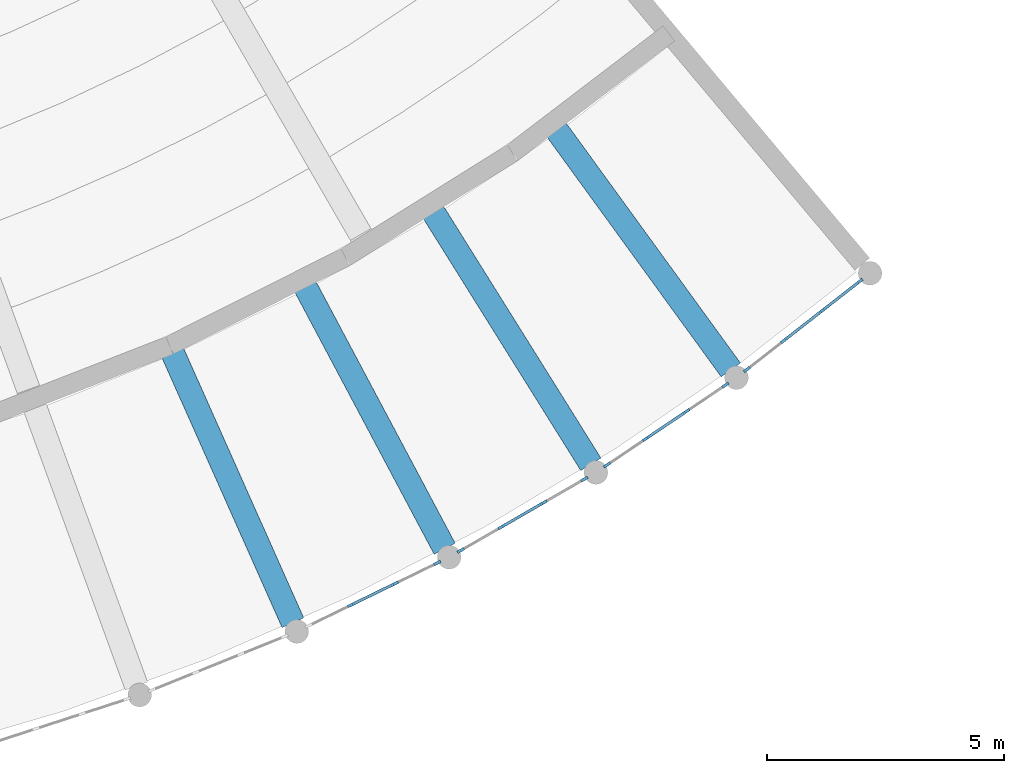
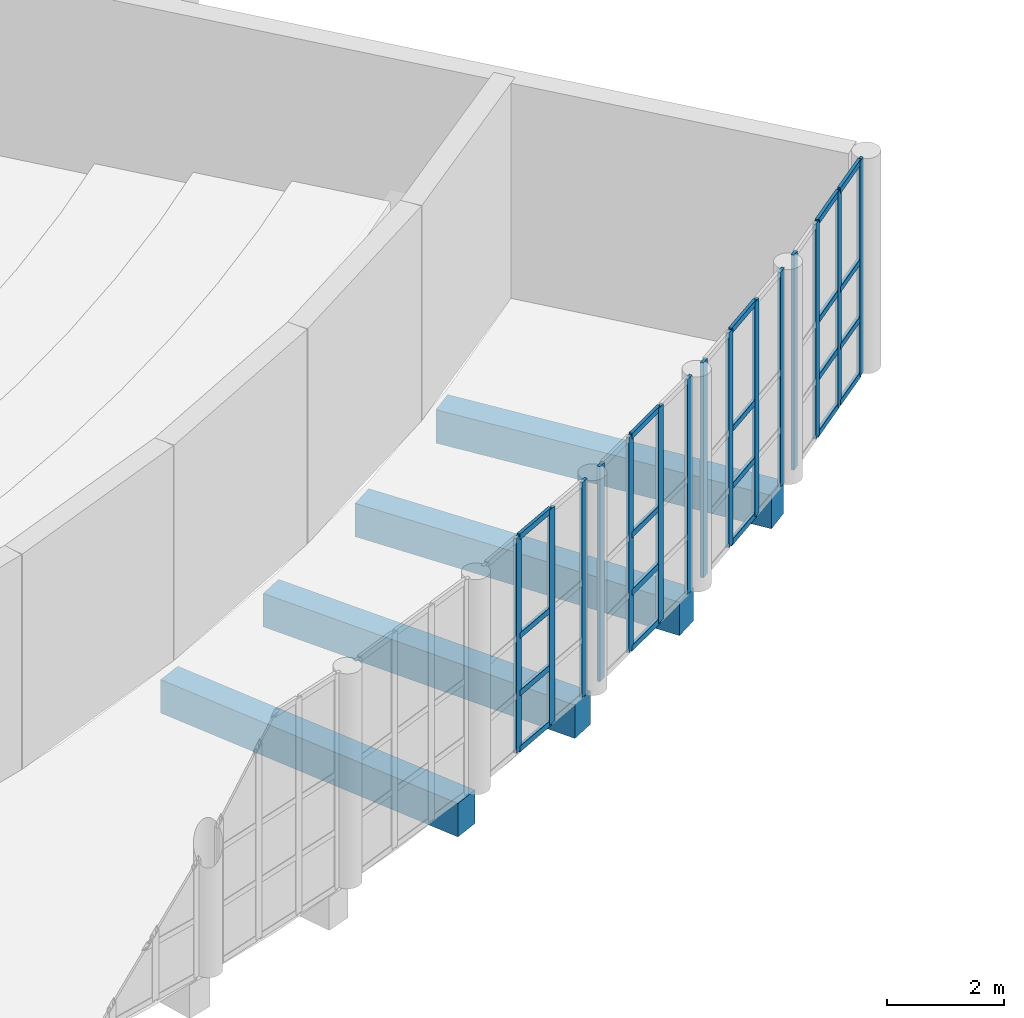
# One storey, part 45 of 162: 35 members, 4 beams, 4 elements without a shape of their own.
"""IFC4 building model written with IfcOpenShell, lengths in metres."""

import ifcopenshell
import ifcopenshell.guid

model = None  # the IFC model being written
_history = None  # IfcOwnerHistory: only IFC2X3 demands one
_inside = {}  # id of a spatial element -> (the spatial element, [elements in it])
_under = {}  # id of a project, library or spatial element -> (it, [spatial elements below it])
_declared = {}  # id of a project -> (the project, [libraries it declares])
_typed = {}  # id of a type object -> (the type object, [elements of that type])
_made_of = {}  # id of a material, layer set ... -> (it, [elements and type objects made of it])


def new_model(schema):
    """Start an empty IFC model of exactly this schema.

    Asked for "IFC4X3", IfcOpenShell would pick the latest addendum, in which some entities
    have other attributes; the version numbers below select the first issue.
    IFC2X3 requires an IfcOwnerHistory on every rooted entity: one is made here for all.
    """
    global model, _history
    if schema == "IFC4X3":
        model = ifcopenshell.file(schema_version=(4, 3, 0, 0))
    else:
        model = ifcopenshell.file(schema=schema)
    _inside.clear()
    _under.clear()
    _declared.clear()
    _typed.clear()
    _made_of.clear()
    _history = None
    if model.schema == "IFC2X3":
        org = make("IfcOrganization", Name="unknown")
        user = make(
            "IfcPersonAndOrganization",
            ThePerson=make("IfcPerson", FamilyName="unknown"),
            TheOrganization=org,
        )
        app = make(
            "IfcApplication",
            ApplicationDeveloper=org,
            Version="unknown",
            ApplicationFullName="unknown",
            ApplicationIdentifier="unknown",
        )
        _history = make(
            "IfcOwnerHistory",
            OwningUser=user,
            OwningApplication=app,
            ChangeAction="ADDED",
            CreationDate=0,
        )
    return model


def make(cls, **values):
    """One entity of the class cls with the attributes given. An attribute that is None is left unset."""
    return model.create_entity(
        cls, **{name: value for name, value in values.items() if value is not None}
    )


def rooted(cls, **values):
    """An entity with a GlobalId (a new one), such as an element, a storey or a relation."""
    return make(cls, GlobalId=ifcopenshell.guid.new(), OwnerHistory=_history, **values)


def si_unit(unit_type, name, prefix=None):
    """IfcSIUnit, for example si_unit("LENGTHUNIT", "METRE", prefix="MILLI")."""
    return make("IfcSIUnit", UnitType=unit_type, Prefix=prefix, Name=name)


def assignment(units):
    """IfcUnitAssignment: the units of a project."""
    return None if units is None else make("IfcUnitAssignment", Units=units)


def point(xyz):
    """IfcCartesianPoint."""
    return None if xyz is None else make("IfcCartesianPoint", Coordinates=xyz)


def direction(xyz):
    """IfcDirection."""
    return None if xyz is None else make("IfcDirection", DirectionRatios=xyz)


def frame(location, z_axis=None, x_axis=None):
    """IfcAxis2Placement3D, a coordinate frame: its origin and axes. An axis left out is left unset."""
    return make(
        "IfcAxis2Placement3D",
        Location=point(location),
        Axis=direction(z_axis),
        RefDirection=direction(x_axis),
    )


def frame_2d(location, x_axis=None):
    """IfcAxis2Placement2D, a coordinate frame in the plane: its origin and x axis."""
    return make(
        "IfcAxis2Placement2D", Location=point(location), RefDirection=direction(x_axis)
    )


def origin():
    """The frame at (0, 0, 0) with its axes left unset."""
    return frame((0.0, 0.0, 0.0))


def origin_2d():
    """The frame at (0, 0) in the plane with its x axis left unset."""
    return frame_2d((0.0, 0.0))


def place(relative_to, where):
    """IfcLocalPlacement: puts the frame where relative to a parent placement (None: the world)."""
    return make(
        "IfcLocalPlacement", PlacementRelTo=relative_to, RelativePlacement=where
    )


def context(
    kind, dimensions, precision=None, world=None, true_north=None, identifier=None
):
    """IfcGeometricRepresentationContext, for example the 3D "Model" context."""
    return make(
        "IfcGeometricRepresentationContext",
        ContextIdentifier=identifier,
        ContextType=kind,
        CoordinateSpaceDimension=dimensions,
        Precision=precision,
        WorldCoordinateSystem=world,
        TrueNorth=true_north,
    )


def subcontext(parent, identifier, kind, view, scale=None):
    """IfcGeometricRepresentationSubContext, for example "Body" below "Model"."""
    return make(
        "IfcGeometricRepresentationSubContext",
        ContextIdentifier=identifier,
        ContextType=kind,
        ParentContext=parent,
        TargetScale=scale,
        TargetView=view,
    )


def project(units=None, contexts=None):
    """IfcProject with its units and contexts."""
    return rooted(
        "IfcProject",
        Name="project",
        RepresentationContexts=contexts,
        UnitsInContext=assignment(units),
    )


def spatial(cls, under=None, at=None, **own):
    """A site, building, storey or space (cls), placed at a placement, below another one or the project."""
    s = rooted(cls, ObjectPlacement=at, **own)
    if under is not None:
        _under.setdefault(under.id(), (under, []))[1].append(s)
    return s


def profile(cls, at=None, kind="AREA", **sizes):
    """A parametric profile (cls). Its sizes go by their IFC names, for example OverallWidth=200.0."""
    return make(cls, ProfileType=kind, Position=at, **sizes)


def rectangle(**sizes):
    """IfcRectangleProfileDef."""
    return profile("IfcRectangleProfileDef", **sizes)


def extrude(swept, where, along, depth):
    """IfcExtrudedAreaSolid: the profile swept, set in the frame where, extruded along a direction by depth."""
    return make(
        "IfcExtrudedAreaSolid",
        SweptArea=swept,
        Position=where,
        ExtrudedDirection=direction(along),
        Depth=depth,
    )


def shape(context_of_items, identifier, shape_type, items):
    """IfcShapeRepresentation: the items that make up one representation, for example the "Body"."""
    return make(
        "IfcShapeRepresentation",
        ContextOfItems=context_of_items,
        RepresentationIdentifier=identifier,
        RepresentationType=shape_type,
        Items=items,
    )


def material(Name=None, Category=None):
    """IfcMaterial."""
    return make("IfcMaterial", Name=Name, Category=Category)


def layer(
    of_material, thickness, ventilated=None, Name=None, Category=None, Priority=None
):
    """IfcMaterialLayer: one layer of a wall or slab, of a material (None: an air gap)."""
    return make(
        "IfcMaterialLayer",
        Material=of_material,
        LayerThickness=thickness,
        IsVentilated=ventilated,
        Name=Name,
        Category=Category,
        Priority=Priority,
    )


def layer_set(layers, Name=None):
    """IfcMaterialLayerSet."""
    return make("IfcMaterialLayerSet", MaterialLayers=layers, LayerSetName=Name)


def material_profile(
    of_material, cross_section, Name=None, Category=None, Priority=None
):
    """IfcMaterialProfile: a cross section and its material."""
    return make(
        "IfcMaterialProfile",
        Name=Name,
        Material=of_material,
        Profile=cross_section,
        Priority=Priority,
        Category=Category,
    )


def profile_set(profiles, Name=None, composite=None):
    """IfcMaterialProfileSet."""
    return make(
        "IfcMaterialProfileSet",
        Name=Name,
        MaterialProfiles=profiles,
        CompositeProfile=composite,
    )


def made_of(thing, what):
    """Note that an element or type object is made of a material, layer set ...; save() writes the relation."""
    if what is not None:
        _made_of.setdefault(what.id(), (what, []))[1].append(thing)
    return thing


def type_object(cls, material=None, **own):
    """A type object (cls), such as IfcWallType, which elements share."""
    return made_of(rooted(cls, **own), material)


def element(
    cls,
    number,
    at=None,
    inside=None,
    cuts=None,
    type_object=None,
    material=None,
    context=None,
    identifier="Body",
    shape_type=None,
    held_by="IfcProductDefinitionShape",
    body=None,
    shapes=None,
    **own,
):
    """One element of the class cls, such as IfcWall. Its Tag is "e" and its number.

    at: its placement. inside: the storey or other place that contains it. cuts: it is an
    opening in that element (IfcRelVoidsElement). A single representation is given by context,
    identifier, shape_type and body (its items); several are given by shapes. held_by: the class
    of the entity that holds the representations. save() writes the other relations.
    """
    e = rooted(cls, Tag="e%d" % number, ObjectPlacement=at, **own)
    if body is not None:
        shapes = [shape(context, identifier, shape_type, body)]
    if shapes is not None:
        e.Representation = make(held_by, Representations=shapes)
    if inside is not None:
        _inside.setdefault(inside.id(), (inside, []))[1].append(e)
    if cuts is not None:
        rooted(
            "IfcRelVoidsElement", RelatingBuildingElement=cuts, RelatedOpeningElement=e
        )
    if type_object is not None:
        _typed.setdefault(type_object.id(), (type_object, []))[1].append(e)
    return made_of(e, material)


def aggregate(whole, parts):
    """IfcRelAggregates: a whole, such as a stair, and the parts it consists of."""
    return rooted("IfcRelAggregates", RelatingObject=whole, RelatedObjects=parts)


def save(model, path):
    """Write the relations noted so far, then the file.

    IfcRelAggregates (storeys below a building ...), IfcRelContainedInSpatialStructure (elements
    in a storey), IfcRelDefinesByType, IfcRelAssociatesMaterial and IfcRelDeclares: one each for
    every whole, place, type object, material and project.
    """
    for whole, parts in _under.values():
        aggregate(whole, parts)
    for where, things in _inside.values():
        rooted(
            "IfcRelContainedInSpatialStructure",
            RelatedElements=things,
            RelatingStructure=where,
        )
    for kind, things in _typed.values():
        rooted("IfcRelDefinesByType", RelatedObjects=things, RelatingType=kind)
    for what, things in _made_of.values():
        rooted("IfcRelAssociatesMaterial", RelatedObjects=things, RelatingMaterial=what)
    for by, libraries in _declared.values():
        rooted("IfcRelDeclares", RelatingContext=by, RelatedDefinitions=libraries)
    model.write(path)


model = new_model("IFC4")

# Units and contexts
model_context = context("Model", 3, precision=1e-05, world=origin(), true_north=direction((0.0, 1.0)))
body_context = subcontext(model_context, "Body", "Model", "MODEL_VIEW")
ifc_project = project(units=[si_unit("LENGTHUNIT", "METRE"), si_unit("AREAUNIT", "SQUARE_METRE"), si_unit("VOLUMEUNIT", "CUBIC_METRE"), si_unit("PLANEANGLEUNIT", "RADIAN"), si_unit("MASSUNIT", "GRAM", prefix="KILO")], contexts=[model_context])

# Site, building, storey
site_placement = place(None, origin())
site = spatial("IfcSite", under=ifc_project, at=site_placement, CompositionType="ELEMENT")
building_placement = place(site_placement, origin())
building = spatial("IfcBuilding", under=site, at=building_placement, Name="Rain Tree Exposition and Congress Centre", CompositionType="ELEMENT")
storey_placement = place(building_placement, frame((0.0, 0.0, 6.0)))
storey = spatial("IfcBuildingStorey", under=building, at=storey_placement, Name="L01", CompositionType="ELEMENT", Elevation=6.0)

# Curtain wall, members
ifc_material_1 = material(Name="Aluminium", Category="aluminium")
ifc_layer = layer(ifc_material_1, 0.10009765625)
ifc_layer_set = layer_set([ifc_layer], Name="Aluminium")
curtain_wall_type = type_object("IfcCurtainWallType", Name="Curtain wall congress", PredefinedType="NOTDEFINED", material=ifc_layer_set)
curtain_wall_1_placement = place(storey_placement, origin())
curtain_wall_1 = element("IfcCurtainWall", 1, at=curtain_wall_1_placement, inside=storey, type_object=curtain_wall_type, Name="Curtain wall L01 bay 17", PredefinedType="NOTDEFINED")
ifc_material_2 = material(Name="Aluminium", Category="aluminium")
ifc_material_profile_1 = material_profile(ifc_material_2, rectangle(XDim=0.06005859375, YDim=0.159912109375, at=origin_2d()), Name="AL 60x160")
ifc_profile_set_1 = profile_set([ifc_material_profile_1], Name="Aluminium")
member_type_1 = type_object("IfcMemberType", Name="Curtain wall mullion 60x160 congress", PredefinedType="MULLION", material=ifc_profile_set_1)
member_1_placement = place(storey_placement, frame((223.570556640625, 20.9853515625, 0.0), z_axis=(0.0, 0.0, 1.0), x_axis=(-0.438368505628, 0.898795334475, 0.0)))
member_1 = element("IfcMember", 2, at=member_1_placement, type_object=member_type_1, Name="CWG217 mullion 2", PredefinedType="MULLION", context=body_context, shape_type="SweptSolid", body=[
    extrude(rectangle(XDim=0.06005859375, YDim=0.159912109375, at=origin_2d()), origin(), (0.0, 0.0, 1.0), 4.5),
])
member_2_placement = place(storey_placement, frame((224.491455078125, 21.434326171875, 0.0), z_axis=(0.0, 0.0, 1.0), x_axis=(-0.438368505628, 0.898795334475, 0.0)))
member_2 = element("IfcMember", 3, at=member_2_placement, type_object=member_type_1, Name="CWG217 mullion 3", PredefinedType="MULLION", context=body_context, shape_type="SweptSolid", body=[
    extrude(rectangle(XDim=0.06005859375, YDim=0.159912109375, at=origin_2d()), origin(), (0.0, 0.0, 1.0), 4.5),
])
member_3_placement = place(storey_placement, frame((225.38525390625, 21.870361328125, 0.0), z_axis=(0.0, 0.0, 1.0), x_axis=(-0.438368505628, 0.898795334475, 0.0)))
member_3 = element("IfcMember", 4, at=member_3_placement, type_object=member_type_1, Name="CWG217 mullion 4", PredefinedType="MULLION", context=body_context, shape_type="SweptSolid", body=[
    extrude(rectangle(XDim=0.06005859375, YDim=0.159912109375, at=origin_2d()), origin(), (0.0, 0.0, 1.0), 4.5),
])

curtain_wall_2_placement = place(storey_placement, origin())
curtain_wall_2 = element("IfcCurtainWall", 5, at=curtain_wall_2_placement, inside=storey, type_object=curtain_wall_type, Name="Curtain wall L01 bay 18", PredefinedType="NOTDEFINED")
member_4_placement = place(storey_placement, frame((225.87939453125, 22.133056640625, 0.0), z_axis=(0.0, 0.0, 1.0), x_axis=(-0.499988121275, 0.866032261861, 0.0)))
member_4 = element("IfcMember", 6, at=member_4_placement, type_object=member_type_1, Name="CWG218 mullion 1", PredefinedType="MULLION", context=body_context, shape_type="SweptSolid", body=[
    extrude(rectangle(XDim=0.06005859375, YDim=0.159912109375, at=origin_2d()), origin(), (0.0, 0.0, 1.0), 4.5),
])
member_5_placement = place(storey_placement, frame((226.74072265625, 22.63037109375, 0.0), z_axis=(0.0, 0.0, 1.0), x_axis=(-0.499988121275, 0.866032261861, 0.0)))
member_5 = element("IfcMember", 7, at=member_5_placement, type_object=member_type_1, Name="CWG218 mullion 2", PredefinedType="MULLION", context=body_context, shape_type="SweptSolid", body=[
    extrude(rectangle(XDim=0.06005859375, YDim=0.159912109375, at=origin_2d()), origin(), (0.0, 0.0, 1.0), 4.5),
])
member_6_placement = place(storey_placement, frame((227.628173828125, 23.142578125, 0.0), z_axis=(0.0, 0.0, 1.0), x_axis=(-0.499988121275, 0.866032261861, 0.0)))
member_6 = element("IfcMember", 8, at=member_6_placement, type_object=member_type_1, Name="CWG218 mullion 3", PredefinedType="MULLION", context=body_context, shape_type="SweptSolid", body=[
    extrude(rectangle(XDim=0.06005859375, YDim=0.159912109375, at=origin_2d()), origin(), (0.0, 0.0, 1.0), 4.5),
])
member_7_placement = place(storey_placement, frame((228.489501953125, 23.639892578125, 0.0), z_axis=(0.0, 0.0, 1.0), x_axis=(-0.499988121275, 0.866032261861, 0.0)))
member_7 = element("IfcMember", 9, at=member_7_placement, type_object=member_type_1, Name="CWG218 mullion 4", PredefinedType="MULLION", context=body_context, shape_type="SweptSolid", body=[
    extrude(rectangle(XDim=0.06005859375, YDim=0.159912109375, at=origin_2d()), origin(), (0.0, 0.0, 1.0), 4.5),
])

curtain_wall_3_placement = place(storey_placement, origin())
curtain_wall_3 = element("IfcCurtainWall", 10, at=curtain_wall_3_placement, inside=storey, type_object=curtain_wall_type, Name="Curtain wall L01 bay 19", PredefinedType="NOTDEFINED")
member_8_placement = place(storey_placement, frame((228.9638671875, 23.9365234375, 0.0), z_axis=(0.0, 0.0, 1.0), x_axis=(-0.559196793659, 0.829034948577, 0.0)))
member_8 = element("IfcMember", 11, at=member_8_placement, type_object=member_type_1, Name="CWG219 mullion 1", PredefinedType="MULLION", context=body_context, shape_type="SweptSolid", body=[
    extrude(rectangle(XDim=0.06005859375, YDim=0.159912109375, at=origin_2d()), origin(), (0.0, 0.0, 1.0), 4.5),
])
member_9_placement = place(storey_placement, frame((229.78857421875, 24.49267578125, 0.0), z_axis=(0.0, 0.0, 1.0), x_axis=(-0.559196793659, 0.829034948577, 0.0)))
member_9 = element("IfcMember", 12, at=member_9_placement, type_object=member_type_1, Name="CWG219 mullion 2", PredefinedType="MULLION", context=body_context, shape_type="SweptSolid", body=[
    extrude(rectangle(XDim=0.06005859375, YDim=0.159912109375, at=origin_2d()), origin(), (0.0, 0.0, 1.0), 4.5),
])
member_10_placement = place(storey_placement, frame((230.637939453125, 25.065673828125, 0.0), z_axis=(0.0, 0.0, 1.0), x_axis=(-0.559196793659, 0.829034948577, 0.0)))
member_10 = element("IfcMember", 13, at=member_10_placement, type_object=member_type_1, Name="CWG219 mullion 3", PredefinedType="MULLION", context=body_context, shape_type="SweptSolid", body=[
    extrude(rectangle(XDim=0.06005859375, YDim=0.159912109375, at=origin_2d()), origin(), (0.0, 0.0, 1.0), 4.5),
])
member_11_placement = place(storey_placement, frame((231.46240234375, 25.621826171875, 0.0), z_axis=(0.0, 0.0, 1.0), x_axis=(-0.559196793659, 0.829034948577, 0.0)))
member_11 = element("IfcMember", 14, at=member_11_placement, type_object=member_type_1, Name="CWG219 mullion 4", PredefinedType="MULLION", context=body_context, shape_type="SweptSolid", body=[
    extrude(rectangle(XDim=0.06005859375, YDim=0.159912109375, at=origin_2d()), origin(), (0.0, 0.0, 1.0), 4.5),
])

curtain_wall_4_placement = place(storey_placement, origin())
curtain_wall_4 = element("IfcCurtainWall", 15, at=curtain_wall_4_placement, inside=storey, type_object=curtain_wall_type, Name="Curtain wall L01 bay 20", PredefinedType="NOTDEFINED")
member_12_placement = place(storey_placement, frame((231.915283203125, 25.95068359375, 0.0), z_axis=(0.0, 0.0, 1.0), x_axis=(-0.615671189348, 0.788003164084, 0.0)))
member_12 = element("IfcMember", 16, at=member_12_placement, type_object=member_type_1, Name="CWG220 mullion 1", PredefinedType="MULLION", context=body_context, shape_type="SweptSolid", body=[
    extrude(rectangle(XDim=0.06005859375, YDim=0.159912109375, at=origin_2d()), origin(), (0.0, 0.0, 1.0), 4.5),
])
member_13_placement = place(storey_placement, frame((232.698974609375, 26.56298828125, 0.0), z_axis=(0.0, 0.0, 1.0), x_axis=(-0.615671189348, 0.788003164084, 0.0)))
member_13 = element("IfcMember", 17, at=member_13_placement, type_object=member_type_1, Name="CWG220 mullion 2", PredefinedType="MULLION", context=body_context, shape_type="SweptSolid", body=[
    extrude(rectangle(XDim=0.06005859375, YDim=0.159912109375, at=origin_2d()), origin(), (0.0, 0.0, 1.0), 4.5),
])
member_14_placement = place(storey_placement, frame((233.50634765625, 27.19384765625, 0.0), z_axis=(0.0, 0.0, 1.0), x_axis=(-0.615671189348, 0.788003164084, 0.0)))
member_14 = element("IfcMember", 18, at=member_14_placement, type_object=member_type_1, Name="CWG220 mullion 3", PredefinedType="MULLION", context=body_context, shape_type="SweptSolid", body=[
    extrude(rectangle(XDim=0.06005859375, YDim=0.159912109375, at=origin_2d()), origin(), (0.0, 0.0, 1.0), 4.5),
])
member_15_placement = place(storey_placement, frame((234.2900390625, 27.80615234375, 0.0), z_axis=(0.0, 0.0, 1.0), x_axis=(-0.615671189348, 0.788003164084, 0.0)))
member_15 = element("IfcMember", 19, at=member_15_placement, type_object=member_type_1, Name="CWG220 mullion 4", PredefinedType="MULLION", context=body_context, shape_type="SweptSolid", body=[
    extrude(rectangle(XDim=0.06005859375, YDim=0.159912109375, at=origin_2d()), origin(), (0.0, 0.0, 1.0), 4.5),
])

# Member
ifc_material_3 = material(Name="Aluminium", Category="aluminium")
ifc_material_profile_2 = material_profile(ifc_material_3, rectangle(XDim=0.06005859375, YDim=0.1201171875, at=origin_2d()), Name="AL 60x120")
ifc_profile_set_2 = profile_set([ifc_material_profile_2], Name="Aluminium")
member_type_2 = type_object("IfcMemberType", Name="Curtain wall transom 60x120 congress", PredefinedType="USERDEFINED", material=ifc_profile_set_2)
member_16_placement = place(storey_placement, frame((223.597412109375, 20.998291015625, 0.030029296875), z_axis=(0.898787905279, 0.438383737523, 0.0), x_axis=(-0.438383737523, 0.898787905279, 0.0)))
member_16 = element("IfcMember", 20, at=member_16_placement, type_object=member_type_2, Name="CWG217 transom 2.1", ObjectType="TRANSOM", PredefinedType="USERDEFINED", context=body_context, shape_type="SweptSolid", body=[
    extrude(rectangle(XDim=0.06005859375, YDim=0.1201171875, at=origin_2d()), origin(), (0.0, 0.0, 1.0), 0.964599609375),
])

member_17_placement = place(storey_placement, frame((223.597412109375, 20.998291015625, 1.199951171875), z_axis=(0.898787905279, 0.438383737523, 0.0), x_axis=(-0.438383737523, 0.898787905279, 0.0)))
member_17 = element("IfcMember", 21, at=member_17_placement, type_object=member_type_2, Name="CWG217 transom 2.2", ObjectType="TRANSOM", PredefinedType="USERDEFINED", context=body_context, shape_type="SweptSolid", body=[
    extrude(rectangle(XDim=0.06005859375, YDim=0.1201171875, at=origin_2d()), origin(), (0.0, 0.0, 1.0), 0.964599609375),
])

member_18_placement = place(storey_placement, frame((223.597412109375, 20.998291015625, 2.39990234375), z_axis=(0.898787905279, 0.438383737523, 0.0), x_axis=(-0.438383737523, 0.898787905279, 0.0)))
member_18 = element("IfcMember", 22, at=member_18_placement, type_object=member_type_2, Name="CWG217 transom 2.3", ObjectType="TRANSOM", PredefinedType="USERDEFINED", context=body_context, shape_type="SweptSolid", body=[
    extrude(rectangle(XDim=0.06005859375, YDim=0.1201171875, at=origin_2d()), origin(), (0.0, 0.0, 1.0), 0.964599609375),
])

member_19_placement = place(storey_placement, frame((223.597412109375, 20.998291015625, 4.469970703125), z_axis=(0.898787905279, 0.438383737523, 0.0), x_axis=(-0.438383737523, 0.898787905279, 0.0)))
member_19 = element("IfcMember", 23, at=member_19_placement, type_object=member_type_2, Name="CWG217 transom 2.4", ObjectType="TRANSOM", PredefinedType="USERDEFINED", context=body_context, shape_type="SweptSolid", body=[
    extrude(rectangle(XDim=0.06005859375, YDim=0.1201171875, at=origin_2d()), origin(), (0.0, 0.0, 1.0), 0.964599609375),
])

aggregate(curtain_wall_1, [member_1, member_2, member_3, member_16, member_17, member_18, member_19])

member_20_placement = place(storey_placement, frame((226.766845703125, 22.645263671875, 0.030029296875), z_axis=(0.865928416946, 0.500167948519, 0.0), x_axis=(-0.500167948519, 0.865928416946, 0.0)))
member_20 = element("IfcMember", 24, at=member_20_placement, type_object=member_type_2, Name="CWG218 transom 2.1", ObjectType="TRANSOM", PredefinedType="USERDEFINED", context=body_context, shape_type="SweptSolid", body=[
    extrude(rectangle(XDim=0.06005859375, YDim=0.1201171875, at=origin_2d()), origin(), (0.0, 0.0, 1.0), 0.964599609375),
])

member_21_placement = place(storey_placement, frame((226.766845703125, 22.645263671875, 1.199951171875), z_axis=(0.865928416946, 0.500167948519, 0.0), x_axis=(-0.500167948519, 0.865928416946, 0.0)))
member_21 = element("IfcMember", 25, at=member_21_placement, type_object=member_type_2, Name="CWG218 transom 2.2", ObjectType="TRANSOM", PredefinedType="USERDEFINED", context=body_context, shape_type="SweptSolid", body=[
    extrude(rectangle(XDim=0.06005859375, YDim=0.1201171875, at=origin_2d()), origin(), (0.0, 0.0, 1.0), 0.964599609375),
])

member_22_placement = place(storey_placement, frame((226.766845703125, 22.645263671875, 2.39990234375), z_axis=(0.865928416946, 0.500167948519, 0.0), x_axis=(-0.500167948519, 0.865928416946, 0.0)))
member_22 = element("IfcMember", 26, at=member_22_placement, type_object=member_type_2, Name="CWG218 transom 2.3", ObjectType="TRANSOM", PredefinedType="USERDEFINED", context=body_context, shape_type="SweptSolid", body=[
    extrude(rectangle(XDim=0.06005859375, YDim=0.1201171875, at=origin_2d()), origin(), (0.0, 0.0, 1.0), 0.964599609375),
])

member_23_placement = place(storey_placement, frame((226.766845703125, 22.645263671875, 4.469970703125), z_axis=(0.865928416946, 0.500167948519, 0.0), x_axis=(-0.500167948519, 0.865928416946, 0.0)))
member_23 = element("IfcMember", 27, at=member_23_placement, type_object=member_type_2, Name="CWG218 transom 2.4", ObjectType="TRANSOM", PredefinedType="USERDEFINED", context=body_context, shape_type="SweptSolid", body=[
    extrude(rectangle(XDim=0.06005859375, YDim=0.1201171875, at=origin_2d()), origin(), (0.0, 0.0, 1.0), 0.964599609375),
])

aggregate(curtain_wall_2, [member_4, member_5, member_6, member_7, member_20, member_21, member_22, member_23])

member_24_placement = place(storey_placement, frame((229.8134765625, 24.509521484375, 0.030029296875), z_axis=(0.829039378948, 0.559190225373, 0.0), x_axis=(-0.559190225373, 0.829039378948, 0.0)))
member_24 = element("IfcMember", 28, at=member_24_placement, type_object=member_type_2, Name="CWG219 transom 2.1", ObjectType="TRANSOM", PredefinedType="USERDEFINED", context=body_context, shape_type="SweptSolid", body=[
    extrude(rectangle(XDim=0.06005859375, YDim=0.1201171875, at=origin_2d()), origin(), (0.0, 0.0, 1.0), 0.96435546875),
])

member_25_placement = place(storey_placement, frame((229.8134765625, 24.509521484375, 1.199951171875), z_axis=(0.829039378948, 0.559190225373, 0.0), x_axis=(-0.559190225373, 0.829039378948, 0.0)))
member_25 = element("IfcMember", 29, at=member_25_placement, type_object=member_type_2, Name="CWG219 transom 2.2", ObjectType="TRANSOM", PredefinedType="USERDEFINED", context=body_context, shape_type="SweptSolid", body=[
    extrude(rectangle(XDim=0.06005859375, YDim=0.1201171875, at=origin_2d()), origin(), (0.0, 0.0, 1.0), 0.96435546875),
])

member_26_placement = place(storey_placement, frame((229.8134765625, 24.509521484375, 2.39990234375), z_axis=(0.829039378948, 0.559190225373, 0.0), x_axis=(-0.559190225373, 0.829039378948, 0.0)))
member_26 = element("IfcMember", 30, at=member_26_placement, type_object=member_type_2, Name="CWG219 transom 2.3", ObjectType="TRANSOM", PredefinedType="USERDEFINED", context=body_context, shape_type="SweptSolid", body=[
    extrude(rectangle(XDim=0.06005859375, YDim=0.1201171875, at=origin_2d()), origin(), (0.0, 0.0, 1.0), 0.96435546875),
])

member_27_placement = place(storey_placement, frame((229.8134765625, 24.509521484375, 4.469970703125), z_axis=(0.829039378948, 0.559190225373, 0.0), x_axis=(-0.559190225373, 0.829039378948, 0.0)))
member_27 = element("IfcMember", 31, at=member_27_placement, type_object=member_type_2, Name="CWG219 transom 2.4", ObjectType="TRANSOM", PredefinedType="USERDEFINED", context=body_context, shape_type="SweptSolid", body=[
    extrude(rectangle(XDim=0.06005859375, YDim=0.1201171875, at=origin_2d()), origin(), (0.0, 0.0, 1.0), 0.96435546875),
])

aggregate(curtain_wall_3, [member_8, member_9, member_10, member_11, member_24, member_25, member_26, member_27])

member_28_placement = place(storey_placement, frame((232.72265625, 26.58154296875, 0.030029296875), z_axis=(0.788028211506, 0.61563912958, 0.0), x_axis=(-0.61563912958, 0.788028211506, 0.0)))
member_28 = element("IfcMember", 32, at=member_28_placement, type_object=member_type_2, Name="CWG220 transom 2.1", ObjectType="TRANSOM", PredefinedType="USERDEFINED", context=body_context, shape_type="SweptSolid", body=[
    extrude(rectangle(XDim=0.06005859375, YDim=0.1201171875, at=origin_2d()), origin(), (0.0, 0.0, 1.0), 0.96435546875),
])

member_29_placement = place(storey_placement, frame((232.72265625, 26.58154296875, 1.199951171875), z_axis=(0.788028211506, 0.61563912958, 0.0), x_axis=(-0.61563912958, 0.788028211506, 0.0)))
member_29 = element("IfcMember", 33, at=member_29_placement, type_object=member_type_2, Name="CWG220 transom 2.2", ObjectType="TRANSOM", PredefinedType="USERDEFINED", context=body_context, shape_type="SweptSolid", body=[
    extrude(rectangle(XDim=0.06005859375, YDim=0.1201171875, at=origin_2d()), origin(), (0.0, 0.0, 1.0), 0.96435546875),
])

member_30_placement = place(storey_placement, frame((232.72265625, 26.58154296875, 2.39990234375), z_axis=(0.788028211506, 0.61563912958, 0.0), x_axis=(-0.61563912958, 0.788028211506, 0.0)))
member_30 = element("IfcMember", 34, at=member_30_placement, type_object=member_type_2, Name="CWG220 transom 2.3", ObjectType="TRANSOM", PredefinedType="USERDEFINED", context=body_context, shape_type="SweptSolid", body=[
    extrude(rectangle(XDim=0.06005859375, YDim=0.1201171875, at=origin_2d()), origin(), (0.0, 0.0, 1.0), 0.96435546875),
])

member_31_placement = place(storey_placement, frame((232.72265625, 26.58154296875, 4.469970703125), z_axis=(0.788028211506, 0.61563912958, 0.0), x_axis=(-0.61563912958, 0.788028211506, 0.0)))
member_31 = element("IfcMember", 35, at=member_31_placement, type_object=member_type_2, Name="CWG220 transom 2.4", ObjectType="TRANSOM", PredefinedType="USERDEFINED", context=body_context, shape_type="SweptSolid", body=[
    extrude(rectangle(XDim=0.06005859375, YDim=0.1201171875, at=origin_2d()), origin(), (0.0, 0.0, 1.0), 0.96435546875),
])

member_32_placement = place(storey_placement, frame((233.530029296875, 27.212158203125, 0.030029296875), z_axis=(0.787929306804, 0.615765708268, 0.0), x_axis=(-0.615765708268, 0.787929306804, 0.0)))
member_32 = element("IfcMember", 36, at=member_32_placement, type_object=member_type_2, Name="CWG220 transom 3.1", ObjectType="TRANSOM", PredefinedType="USERDEFINED", context=body_context, shape_type="SweptSolid", body=[
    extrude(rectangle(XDim=0.06005859375, YDim=0.1201171875, at=origin_2d()), origin(), (0.0, 0.0, 1.0), 0.9345703125),
])

member_33_placement = place(storey_placement, frame((233.530029296875, 27.212158203125, 1.199951171875), z_axis=(0.787929306804, 0.615765708268, 0.0), x_axis=(-0.615765708268, 0.787929306804, 0.0)))
member_33 = element("IfcMember", 37, at=member_33_placement, type_object=member_type_2, Name="CWG220 transom 3.2", ObjectType="TRANSOM", PredefinedType="USERDEFINED", context=body_context, shape_type="SweptSolid", body=[
    extrude(rectangle(XDim=0.06005859375, YDim=0.1201171875, at=origin_2d()), origin(), (0.0, 0.0, 1.0), 0.9345703125),
])

member_34_placement = place(storey_placement, frame((233.530029296875, 27.212158203125, 2.39990234375), z_axis=(0.787929306804, 0.615765708268, 0.0), x_axis=(-0.615765708268, 0.787929306804, 0.0)))
member_34 = element("IfcMember", 38, at=member_34_placement, type_object=member_type_2, Name="CWG220 transom 3.3", ObjectType="TRANSOM", PredefinedType="USERDEFINED", context=body_context, shape_type="SweptSolid", body=[
    extrude(rectangle(XDim=0.06005859375, YDim=0.1201171875, at=origin_2d()), origin(), (0.0, 0.0, 1.0), 0.9345703125),
])

member_35_placement = place(storey_placement, frame((233.530029296875, 27.212158203125, 4.469970703125), z_axis=(0.787929306804, 0.615765708268, 0.0), x_axis=(-0.615765708268, 0.787929306804, 0.0)))
member_35 = element("IfcMember", 39, at=member_35_placement, type_object=member_type_2, Name="CWG220 transom 3.4", ObjectType="TRANSOM", PredefinedType="USERDEFINED", context=body_context, shape_type="SweptSolid", body=[
    extrude(rectangle(XDim=0.06005859375, YDim=0.1201171875, at=origin_2d()), origin(), (0.0, 0.0, 1.0), 0.9345703125),
])

aggregate(curtain_wall_4, [member_12, member_13, member_14, member_15, member_28, member_29, member_30, member_31, member_32, member_33, member_34, member_35])

# Beams
ifc_material_4 = material(Name="Precast concrete C50/60", Category="concrete")
ifc_material_profile_3 = material_profile(ifc_material_4, rectangle(XDim=0.5, YDim=0.699951171875, at=origin_2d()), Name="RC 500x700")
ifc_profile_set_3 = profile_set([ifc_material_profile_3], Name="Precast concrete C50/60")
beam_type = type_object("IfcBeamType", Name="Precast beam 500x700", PredefinedType="BEAM", material=ifc_profile_set_3)
beam_1_placement = place(storey_placement, frame((219.781005859375, 26.364501953125, -0.64990234375), z_axis=(0.406742431252, -0.913542880558, 0.0), x_axis=(0.913542880558, 0.406742431252, 0.0)))
element("IfcBeam", 40, at=beam_1_placement, inside=storey, type_object=beam_type, Name="Promenade beam", PredefinedType="BEAM", context=body_context, shape_type="SweptSolid", body=[
    extrude(rectangle(XDim=0.5, YDim=0.699951171875, at=origin_2d()), origin(), (0.0, 0.0, 1.0), 6.300048828125),
])
beam_2_placement = place(storey_placement, frame((222.58544921875, 27.732177734375, -0.64990234375), z_axis=(0.469457432878, -0.882955105719, 0.0), x_axis=(0.882955105719, 0.469457432878, 0.0)))
element("IfcBeam", 41, at=beam_2_placement, inside=storey, type_object=beam_type, Name="Promenade beam", PredefinedType="BEAM", context=body_context, shape_type="SweptSolid", body=[
    extrude(rectangle(XDim=0.5, YDim=0.699951171875, at=origin_2d()), origin(), (0.0, 0.0, 1.0), 6.2998046875),
])
beam_3_placement = place(storey_placement, frame((225.287353515625, 29.292236328125, -0.64990234375), z_axis=(0.529929272267, -0.848041842361, 0.0), x_axis=(0.848041842361, 0.529929272267, 0.0)))
element("IfcBeam", 42, at=beam_3_placement, inside=storey, type_object=beam_type, Name="Promenade beam", PredefinedType="BEAM", context=body_context, shape_type="SweptSolid", body=[
    extrude(rectangle(XDim=0.5, YDim=0.699951171875, at=origin_2d()), origin(), (0.0, 0.0, 1.0), 6.300048828125),
])
beam_4_placement = place(storey_placement, frame((227.8740234375, 31.036865234375, -0.64990234375), z_axis=(0.587777596848, -0.809022556326, 0.0), x_axis=(0.809022556326, 0.587777596848, 0.0)))
element("IfcBeam", 43, at=beam_4_placement, inside=storey, type_object=beam_type, Name="Promenade beam", PredefinedType="BEAM", context=body_context, shape_type="SweptSolid", body=[
    extrude(rectangle(XDim=0.5, YDim=0.699951171875, at=origin_2d()), origin(), (0.0, 0.0, 1.0), 6.2998046875),
])

save(model, "model.ifc")
